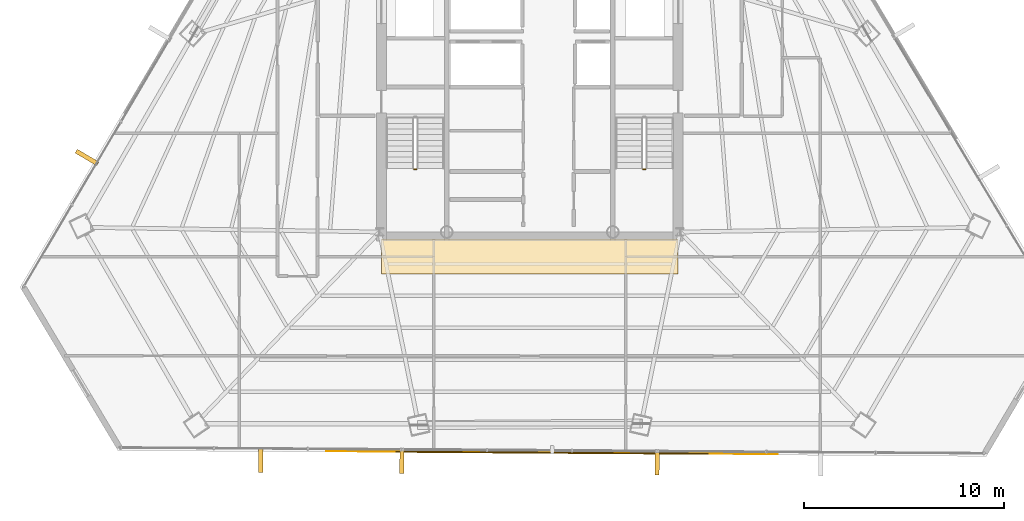
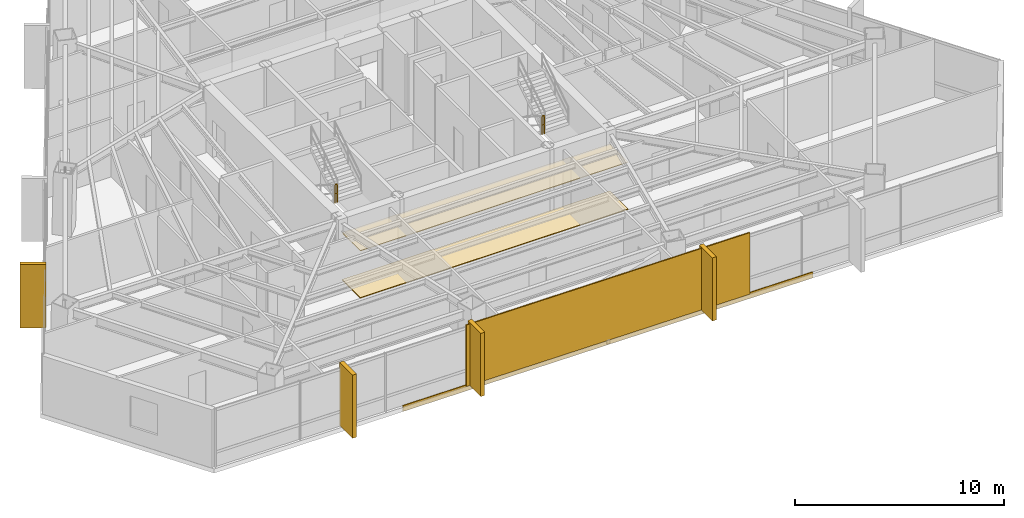
# One storey, part 38 of 40: 7 coverings, 2 railings, 1 shading device.
"""IFC4 building model written with IfcOpenShell, lengths in metres."""

from ifc_helpers import new_model, si_unit, direction, frame, origin, origin_2d, place, context, subcontext, project, spatial, polyline, rectangle, outline, extrude, source, transform, mapped, material, layer, layer_set, type_object, type_shapes, element, save


model = new_model("IFC4")

# Units and contexts
model_context = context("Model", 3, precision=1e-05, world=origin(), true_north=direction((0.0, 1.0)))
body_context = subcontext(model_context, "Body", "Model", "MODEL_VIEW")
ifc_project = project(units=[si_unit("LENGTHUNIT", "METRE"), si_unit("AREAUNIT", "SQUARE_METRE"), si_unit("VOLUMEUNIT", "CUBIC_METRE"), si_unit("PLANEANGLEUNIT", "RADIAN"), si_unit("MASSUNIT", "GRAM", prefix="KILO")], contexts=[model_context])

# Site, building, storey
site_placement = place(None, origin())
site = spatial("IfcSite", under=ifc_project, at=site_placement, CompositionType="ELEMENT")
building_placement = place(site_placement, origin())
building = spatial("IfcBuilding", under=site, at=building_placement, Name="Caelisora Broadcast Tower", CompositionType="ELEMENT")
storey_placement = place(building_placement, frame((0.0, 0.0, 176.75)))
storey = spatial("IfcBuildingStorey", under=building, at=storey_placement, Name="L46", CompositionType="ELEMENT", Elevation=176.75)

# Coverings
ifc_material_1 = material(Name="Perforated Mineral-Fibre Acoustic Ceiling Tile", Category="gypsum")
ifc_layer_1 = layer(ifc_material_1, 0.034912109375, Name="Perforated Mineral-Fibre Acoustic Ceiling Tile")
ifc_layer_set_1 = layer_set([ifc_layer_1], Name="Perforated Mineral-Fibre Acoustic Ceiling Tile")
covering_type_1 = type_object("IfcCoveringType", Name="CE-1", PredefinedType="CEILING", material=ifc_layer_set_1)
covering_1_placement = place(storey_placement, frame((0.0, 0.0, 2.75)))
element("IfcCovering", 1, at=covering_1_placement, inside=storey, type_object=covering_type_1, Name="L46 acoustic corridor ceiling CE-1 (S)", PredefinedType="CEILING", context=body_context, shape_type="SweptSolid", body=[
    extrude(outline(polyline([(30.60009765625, 15.300048828125), (45.39990234375, 15.300048828125), (45.39990234375, 17.050048828125), (30.60009765625, 17.050048828125), (30.60009765625, 15.300048828125)])), origin(), (0.0, 0.0, 1.0), 0.034912109375),
])
ifc_material_2 = material(Name="Anti-Static Broadcast Raised Access Floor Panel", Category="steel")
ifc_layer_2 = layer(ifc_material_2, 0.044921875, Name="Anti-Static Broadcast Raised Access Floor Panel")
ifc_layer_set_2 = layer_set([ifc_layer_2], Name="Anti-Static Broadcast Raised Access Floor Panel")
covering_type_2 = type_object("IfcCoveringType", Name="FL-1", PredefinedType="FLOORING", material=ifc_layer_set_2)
covering_2_placement = place(storey_placement, origin())
element("IfcCovering", 2, at=covering_2_placement, inside=storey, type_object=covering_type_2, Name="L46 broadcast raised access floor FL-1 (S)", PredefinedType="FLOORING", context=body_context, shape_type="SweptSolid", body=[
    extrude(outline(polyline([(30.60009765625, 15.300048828125), (45.39990234375, 15.300048828125), (45.39990234375, 17.050048828125), (30.60009765625, 17.050048828125), (30.60009765625, 15.300048828125)])), origin(), (0.0, 0.0, 1.0), 0.044921875),
])

# Railings
ifc_material_3 = material(Name="Galvanised Steel Safety Guardrail", Category="steel")
ifc_layer_3 = layer(ifc_material_3, 0.048095703125, Name="Galvanised Steel Safety Guardrail")
ifc_layer_set_3 = layer_set([ifc_layer_3], Name="Galvanised Steel Safety Guardrail")
railing_type = type_object("IfcRailingType", Name="GR-1", PredefinedType="GUARDRAIL", material=ifc_layer_set_3)
for number, where, name in (
    (3, (32.219970703125, 20.530029296875, 1.824951171875), "L46 ST-1 stair guard 2"),
    (4, (43.659912109375, 20.530029296875, 1.824951171875), "L46 ST-2 stair guard 2"),
):
    element("IfcRailing", number, at=place(storey_placement, frame(where)), inside=storey, type_object=railing_type, Name=name, PredefinedType="GUARDRAIL", context=body_context, shape_type="SweptSolid", body=[
        extrude(rectangle(XDim=0.048095703125, YDim=0.048095703125, at=origin_2d()), frame((0.0, 0.0, 1.076171875), z_axis=(1.0, 0.0, 0.0), x_axis=(0.0, 1.0, 0.0)), (0.0, 0.0, 1.0), 0.1201171875),
        extrude(rectangle(XDim=0.03125, YDim=0.03125, at=origin_2d()), frame((0.0, 0.0, 0.550048828125), z_axis=(1.0, 0.0, 0.0), x_axis=(0.0, 1.0, 0.0)), (0.0, 0.0, 1.0), 0.1201171875),
        extrude(rectangle(XDim=0.0419921875, YDim=0.0419921875, at=origin_2d()), origin(), (0.0, 0.0, 1.0), 1.052001953125),
        extrude(rectangle(XDim=0.0419921875, YDim=0.0419921875, at=origin_2d()), frame((0.1201171875, 0.0, 0.0)), (0.0, 0.0, 1.0), 1.052001953125),
    ])

# Coverings
ifc_material_4 = material(Name="Kiln-Fired Terracotta Spandrel Rainscreen Cladding", Category="ceramic")
ifc_layer_4 = layer(ifc_material_4, 0.044921875, Name="Kiln-Fired Terracotta Spandrel Rainscreen Cladding")
ifc_layer_set_4 = layer_set([ifc_layer_4], Name="Kiln-Fired Terracotta Spandrel Rainscreen Cladding")
covering_type_3 = type_object("IfcCoveringType", Name="CL-1", PredefinedType="CLADDING", material=ifc_layer_set_4)
shared_shape_1 = source(origin(), body_context, "Body", "SweptSolid", [
    extrude(rectangle(XDim=0.219970703125, YDim=1.25, at=origin_2d()), origin(), (0.0, 0.0, 1.0), 3.68994140625),
])
for number, where, z_axis, x_axis, name in (
    (5, (44.359619140625, 5.8896484375, -0.02001953125), (0.0, 0.0, 1.0), (-0.999978006703, 0.006632202536, 0.0), "L46 vertical solar fin cladding #2-2"),
    (6, (31.6162109375, 5.974365234375, -0.02001953125), (0.0, 0.0, 1.0), (-0.999978006703, 0.006632202536, 0.0), "L46 vertical solar fin cladding #2-3"),
    (7, (24.563720703125, 6.021240234375, -0.02001953125), (0.0, 0.0, 1.0), (-0.999978006703, 0.006632202536, 0.0), "L46 vertical solar fin cladding #2-4"),
    (8, (15.88623046875, 21.121337890625, -0.02001953125), (0.0, 0.0, 1.0), (0.508139769859, 0.861274621876, 0.0), "L46 vertical solar fin cladding #3-1"),
):
    element("IfcCovering", number, at=place(storey_placement, frame(where, z_axis=z_axis, x_axis=x_axis)), inside=storey, type_object=covering_type_3, Name=name, PredefinedType="CLADDING", context=body_context, shape_type="MappedRepresentation", body=[
        mapped(shared_shape_1, transform((0.0, 0.0, 0.0), scale=1.0)),
    ])

# Shading device
ifc_material_5 = material(Name="Perforated Glazed Terracotta Baguette Solar Screen", Category="ceramic")
ifc_layer_5 = layer(ifc_material_5, 0.06494140625, Name="Perforated Glazed Terracotta Baguette Solar Screen")
ifc_layer_set_5 = layer_set([ifc_layer_5], Name="Perforated Glazed Terracotta Baguette Solar Screen")
shading_device_type = type_object("IfcShadingDeviceType", Name="SS-1", PredefinedType="USERDEFINED", material=ifc_layer_set_5)
shared_shape_2 = source(origin(), body_context, "Body", "SweptSolid", [
    extrude(rectangle(XDim=15.614990234375, YDim=0.06494140625, at=origin_2d()), origin(), (0.0, 0.0, 1.0), 3.590087890625),
])
type_shapes(shading_device_type, [shared_shape_2])
shading_device_placement = place(storey_placement, frame((39.1171875, 6.37451171875, 0.0), z_axis=(0.0, 0.0, 1.0), x_axis=(0.999978006703, -0.006632202536, 0.0)))
element("IfcShadingDevice", 9, at=shading_device_placement, inside=storey, type_object=shading_device_type, Name="L46 perforated terracotta solar screen #2", ObjectType="SOLAR SCREEN", PredefinedType="USERDEFINED", context=body_context, shape_type="MappedRepresentation", body=[
    mapped(shared_shape_2, transform((0.0, 0.0, 0.0), scale=1.0)),
])

# Covering
shared_shape_3 = source(origin(), body_context, "Body", "SweptSolid", [
    extrude(rectangle(XDim=22.554931640625, YDim=0.044921875, at=origin_2d()), origin(), (0.0, 0.0, 1.0), 0.340087890625),
])
type_shapes(covering_type_3, [shared_shape_1, shared_shape_3])
covering_3_placement = place(storey_placement, frame((39.117431640625, 6.39453125, -0.27001953125), z_axis=(0.0, 0.0, 1.0), x_axis=(0.999978006703, -0.006632202536, 0.0)))
element("IfcCovering", 10, at=covering_3_placement, inside=storey, type_object=covering_type_3, Name="L46 terracotta spandrel rainscreen #2", PredefinedType="CLADDING", context=body_context, shape_type="MappedRepresentation", body=[
    mapped(shared_shape_3, transform((0.0, 0.0, 0.0), scale=1.0)),
])

save(model, "model.ifc")
